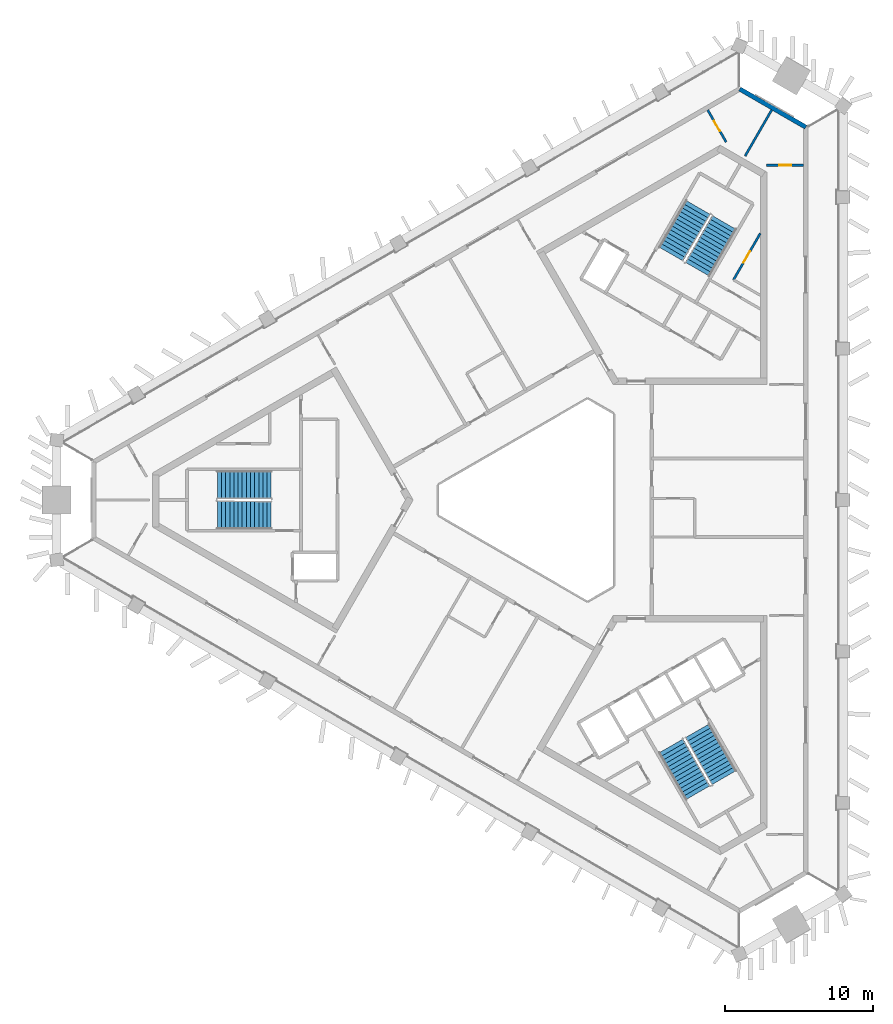
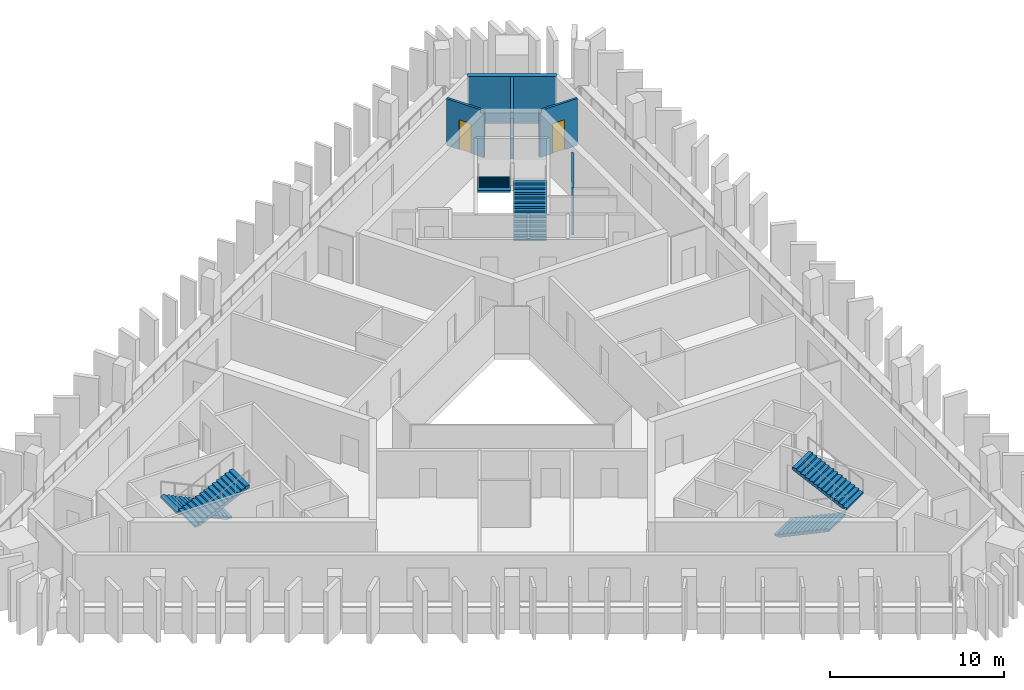
# One storey, part 6 of 9: 6 stair flights, 5 walls, 3 doors, 3 openings, 3 elements without a shape of their own.
"""IFC4 building model written with IfcOpenShell, lengths in metres."""

from ifc_helpers import new_model, si_unit, direction, frame, frame_2d, origin, place, context, subcontext, project, spatial, polyline, rectangle, outline, extrude, material, layer, layer_set, type_object, element, fill, aggregate, save


model = new_model("IFC4")

# Units and contexts
model_context = context("Model", 3, precision=1e-05, world=origin(), true_north=direction((0.0, 1.0)))
body_context = subcontext(model_context, "Body", "Model", "MODEL_VIEW")
ifc_project = project(units=[si_unit("LENGTHUNIT", "METRE"), si_unit("AREAUNIT", "SQUARE_METRE"), si_unit("VOLUMEUNIT", "CUBIC_METRE"), si_unit("PLANEANGLEUNIT", "RADIAN"), si_unit("MASSUNIT", "GRAM", prefix="KILO")], contexts=[model_context])

# Site, building, storey
site_placement = place(None, origin())
site = spatial("IfcSite", under=ifc_project, at=site_placement, CompositionType="ELEMENT")
building_placement = place(site_placement, origin())
building = spatial("IfcBuilding", under=site, at=building_placement, Name="Jabali Bay Hotel Tower and Convention Centre", CompositionType="ELEMENT")
storey_placement = place(building_placement, frame((0.0, 0.0, 228.0)))
storey = spatial("IfcBuildingStorey", under=building, at=storey_placement, Name="L56", CompositionType="ELEMENT", Elevation=228.0)

# Wall, opening, door
ifc_material_1 = material(Name="Fire-rated board partition")
ifc_layer_1 = layer(ifc_material_1, 0.14990234375)
ifc_layer_set_1 = layer_set([ifc_layer_1], Name="Fire-rated board partition")
wall_type_1 = type_object("IfcWallType", Name="Core room partition 150", PredefinedType="PARTITIONING", material=ifc_layer_set_1)
wall_1_placement = place(storey_placement, frame((87.62109375, 94.8603515625, 0.0), z_axis=(0.0, 0.0, 1.0), x_axis=(0.499993116331, 0.866029378036, 0.0)))
wall_1 = element("IfcWall", 1, at=wall_1_placement, inside=storey, type_object=wall_type_1, Name="Core wall 1.1 L56", PredefinedType="PARTITIONING", context=body_context, shape_type="SweptSolid", body=[
    extrude(rectangle(XDim=3.61767578125, YDim=0.14990234375, at=frame_2d((1.808837890625, 0.0))), origin(), (0.0, 0.0, 1.0), 3.300048828125),
])
opening_1_placement = place(wall_1_placement, frame((1.33154296875, 0.0, 0.0)))
opening_1 = element("IfcOpeningElement", 2, at=opening_1_placement, cuts=wall_1, Name="Opening D1226", PredefinedType="OPENING", context=body_context, shape_type="SweptSolid", body=[
    extrude(rectangle(XDim=0.89990234375, YDim=2.10009765625, at=frame_2d((0.449951171875, 1.050048828125))), frame((0.0, 0.08544921875, 0.0), z_axis=(0.0, -1.0, 0.0), x_axis=(1.0, 0.0, 0.0)), (0.0, 0.0, 1.0), 0.1708984375),
])
ifc_material_2 = material(Name="Fire-rated steel door", Category="steel")
door_type_1 = type_object("IfcDoorType", Name="Core room door 900 x 2100", OperationType="NOTDEFINED", PredefinedType="NOTDEFINED", material=ifc_material_2)
door_1_placement = place(opening_1_placement, origin())
door_1 = element("IfcDoor", 3, at=door_1_placement, inside=storey, type_object=door_type_1, Name="Core room door D1226", OperationType="SINGLE_SWING_LEFT", OverallHeight=2.10009765625, OverallWidth=0.89990234375, PredefinedType="NOTDEFINED", context=body_context, shape_type="SweptSolid", body=[
    extrude(rectangle(XDim=0.89990234375, YDim=2.10009765625, at=frame_2d((0.449951171875, 1.050048828125))), frame((0.0, 0.02490234375, 0.0), z_axis=(0.0, -1.0, 0.0), x_axis=(1.0, 0.0, 0.0)), (0.0, 0.0, 1.0), 0.050048828125),
])
fill(opening_1, door_1)

# Wall
ifc_material_3 = material(Name="Concrete C40", Category="concrete")
ifc_layer_2 = layer(ifc_material_3, 0.300048828125)
ifc_layer_set_2 = layer_set([ifc_layer_2], Name="Concrete C40")
wall_type_2 = type_object("IfcWallType", Name="External wall 300", PredefinedType="SOLIDWALL", material=ifc_layer_set_2)
wall_2_placement = place(storey_placement, frame((88.04345703125, 107.740966796875, 0.0), z_axis=(0.0, 0.0, 1.0), x_axis=(0.866011086668, -0.500024797153, 0.0)))
element("IfcWall", 4, at=wall_2_placement, inside=storey, type_object=wall_type_2, Name="External wall north-east chamfer L56", PredefinedType="SOLIDWALL", context=body_context, shape_type="SweptSolid", body=[
    extrude(rectangle(XDim=5.149169921875, YDim=0.300048828125, at=frame_2d((2.57470703125, 0.0))), origin(), (0.0, 0.0, 1.0), 3.300048828125),
])

# Wall, opening, door
ifc_material_4 = material(Name="Plasterboard on steel stud", Category="steel")
ifc_layer_3 = layer(ifc_material_4, 0.14990234375)
ifc_layer_set_3 = layer_set([ifc_layer_3], Name="Plasterboard on steel stud")
wall_type_3 = type_object("IfcWallType", Name="Partition 150 wet", PredefinedType="PARTITIONING", material=ifc_layer_set_3)
wall_3_placement = place(storey_placement, frame((92.353515625, 102.59423828125, 0.0), z_axis=(0.0, 0.0, 1.0), x_axis=(-1.0, 0.0, 0.0)))
wall_3 = element("IfcWall", 5, at=wall_3_placement, inside=storey, type_object=wall_type_3, Name="Partition P03 L56 010", PredefinedType="PARTITIONING", context=body_context, shape_type="SweptSolid", body=[
    extrude(rectangle(XDim=2.492431640625, YDim=0.14990234375, at=frame_2d((1.24609375, 0.0))), origin(), (0.0, 0.0, 1.0), 3.300048828125),
])
opening_2_placement = place(wall_3_placement, frame((0.845947265625, 0.0, 0.0)))
opening_2 = element("IfcOpeningElement", 6, at=opening_2_placement, cuts=wall_3, Name="Opening 5608", PredefinedType="OPENING", context=body_context, shape_type="SweptSolid", body=[
    extrude(rectangle(XDim=0.800048828125, YDim=2.10009765625, at=frame_2d((0.39990234375, 1.050048828125))), frame((0.0, 0.08544921875, 0.0), z_axis=(0.0, -1.0, 0.0), x_axis=(1.0, 0.0, 0.0)), (0.0, 0.0, 1.0), 0.1708984375),
])
ifc_material_5 = material(Name="Timber", Category="wood")
door_type_2 = type_object("IfcDoorType", Name="En-suite door 800 x 2100", OperationType="NOTDEFINED", PredefinedType="NOTDEFINED", material=ifc_material_5)
door_2_placement = place(opening_2_placement, origin())
door_2 = element("IfcDoor", 7, at=door_2_placement, inside=storey, type_object=door_type_2, Name="Door 5608", OperationType="SINGLE_SWING_RIGHT", OverallHeight=2.10009765625, OverallWidth=0.800048828125, PredefinedType="NOTDEFINED", context=body_context, shape_type="SweptSolid", body=[
    extrude(rectangle(XDim=0.800048828125, YDim=2.10009765625, at=frame_2d((0.39990234375, 1.050048828125))), frame((0.0, 0.02490234375, 0.0), z_axis=(0.0, -1.0, 0.0), x_axis=(1.0, 0.0, 0.0)), (0.0, 0.0, 1.0), 0.050048828125),
])
fill(opening_2, door_2)

# Wall
wall_4_placement = place(storey_placement, frame((90.199462890625, 106.323974609375, 0.0), z_axis=(0.0, 0.0, 1.0), x_axis=(-0.500032055595, -0.866006895687, 0.0)))
element("IfcWall", 8, at=wall_4_placement, inside=storey, type_object=wall_type_3, Name="Partition P03 L56 011", PredefinedType="PARTITIONING", context=body_context, shape_type="SweptSolid", body=[
    extrude(rectangle(XDim=3.594970703125, YDim=0.14990234375, at=frame_2d((1.79736328125, 0.0))), origin(), (0.0, 0.0, 1.0), 3.300048828125),
])

# Wall, opening, door
wall_5_placement = place(storey_placement, frame((87.12744140625, 104.161865234375, 0.0), z_axis=(0.0, 0.0, 1.0), x_axis=(-0.500047477074, 0.865997991148, 0.0)))
wall_5 = element("IfcWall", 9, at=wall_5_placement, inside=storey, type_object=wall_type_3, Name="Partition P03 L56 014", PredefinedType="PARTITIONING", context=body_context, shape_type="SweptSolid", body=[
    extrude(rectangle(XDim=2.492431640625, YDim=0.14990234375, at=frame_2d((1.24609375, 0.0))), origin(), (0.0, 0.0, 1.0), 3.300048828125),
])
opening_3_placement = place(wall_5_placement, frame((0.845947265625, 0.0, 0.0)))
opening_3 = element("IfcOpeningElement", 10, at=opening_3_placement, cuts=wall_5, Name="Opening 5611", PredefinedType="OPENING", context=body_context, shape_type="SweptSolid", body=[
    extrude(rectangle(XDim=0.800048828125, YDim=2.10009765625, at=frame_2d((0.39990234375, 1.050048828125))), frame((0.0, 0.08544921875, 0.0), z_axis=(0.0, -1.0, 0.0), x_axis=(1.0, 0.0, 0.0)), (0.0, 0.0, 1.0), 0.1708984375),
])
door_3_placement = place(opening_3_placement, origin())
door_3 = element("IfcDoor", 11, at=door_3_placement, inside=storey, type_object=door_type_2, Name="Door 5611", OperationType="SINGLE_SWING_RIGHT", OverallHeight=2.10009765625, OverallWidth=0.800048828125, PredefinedType="NOTDEFINED", context=body_context, shape_type="SweptSolid", body=[
    extrude(rectangle(XDim=0.800048828125, YDim=2.10009765625, at=frame_2d((0.39990234375, 1.050048828125))), frame((0.0, 0.02490234375, 0.0), z_axis=(0.0, -1.0, 0.0), x_axis=(1.0, 0.0, 0.0)), (0.0, 0.0, 1.0), 0.050048828125),
])
fill(opening_3, door_3)

# Stair, stair flights
stair_type = type_object("IfcStairType", Name="Exit stair 1900", PredefinedType="HALF_TURN_STAIR", material=ifc_material_3)
stair_1_placement = place(storey_placement, origin())
stair_1 = element("IfcStair", 12, at=stair_1_placement, inside=storey, type_object=stair_type, Name="L56 Exit Stair 1", PredefinedType="HALF_TURN_STAIR")
stair_flight_type = type_object("IfcStairFlightType", Name="Stair flight concrete 150", PredefinedType="STRAIGHT", material=ifc_material_3)
stair_flight_1_placement = place(storey_placement, frame((56.419921875, 81.02490234375, 0.0), z_axis=(0.0, 0.0, 1.0), x_axis=(-1.0, 0.0, 0.0)))
stair_flight_1 = element("IfcStairFlight", 13, at=stair_flight_1_placement, type_object=stair_flight_type, Name="ST1 flight 1", NumberOfRisers=14, NumberOfTreads=13, PredefinedType="STRAIGHT", RiserHeight=0.132142857, TreadLength=0.28, context=body_context, shape_type="SweptSolid", body=[
    extrude(outline(polyline([(0.0, 0.0), (0.0, 0.132080078125), (0.280029296875, 0.132080078125), (0.280029296875, 0.264404296875), (0.56005859375, 0.264404296875), (0.56005859375, 0.396484375), (0.840087890625, 0.396484375), (0.840087890625, 0.528564453125), (1.1201171875, 0.528564453125), (1.1201171875, 0.66064453125), (1.39990234375, 0.66064453125), (1.39990234375, 0.79296875), (1.679931640625, 0.79296875), (1.679931640625, 0.925048828125), (1.9599609375, 0.925048828125), (1.9599609375, 1.05712890625), (2.239990234375, 1.05712890625), (2.239990234375, 1.189208984375), (2.52001953125, 1.189208984375), (2.52001953125, 1.321533203125), (2.800048828125, 1.321533203125), (2.800048828125, 1.45361328125), (3.080078125, 1.45361328125), (3.080078125, 1.585693359375), (3.360107421875, 1.585693359375), (3.360107421875, 1.7177734375), (3.639892578125, 1.7177734375), (3.639892578125, 1.85009765625), (3.639892578125, 1.552001953125), (0.351318359375, 0.0), (0.0, 0.0)])), frame((0.0, 0.949951171875, 0.0), z_axis=(0.0, -1.0, 0.0), x_axis=(1.0, 0.0, 0.0)), (0.0, 0.0, 1.0), 1.89990234375),
])
stair_flight_2_placement = place(storey_placement, frame((52.780029296875, 78.97509765625, 1.85009765625), z_axis=(0.0, 0.0, 1.0), x_axis=(1.0, 0.0, 0.0)))
stair_flight_2 = element("IfcStairFlight", 14, at=stair_flight_2_placement, type_object=stair_flight_type, Name="ST1 flight 2", NumberOfRisers=14, NumberOfTreads=13, PredefinedType="STRAIGHT", RiserHeight=0.132142857, TreadLength=0.28, context=body_context, shape_type="SweptSolid", body=[
    extrude(outline(polyline([(0.0, 0.0), (0.0, 0.132080078125), (0.280029296875, 0.132080078125), (0.280029296875, 0.264404296875), (0.56005859375, 0.264404296875), (0.56005859375, 0.396484375), (0.840087890625, 0.396484375), (0.840087890625, 0.528564453125), (1.1201171875, 0.528564453125), (1.1201171875, 0.66064453125), (1.39990234375, 0.66064453125), (1.39990234375, 0.79296875), (1.679931640625, 0.79296875), (1.679931640625, 0.925048828125), (1.9599609375, 0.925048828125), (1.9599609375, 1.05712890625), (2.239990234375, 1.05712890625), (2.239990234375, 1.189208984375), (2.52001953125, 1.189208984375), (2.52001953125, 1.321533203125), (2.800048828125, 1.321533203125), (2.800048828125, 1.45361328125), (3.080078125, 1.45361328125), (3.080078125, 1.585693359375), (3.360107421875, 1.585693359375), (3.360107421875, 1.7177734375), (3.639892578125, 1.7177734375), (3.639892578125, 1.85009765625), (3.639892578125, 1.552001953125), (0.351318359375, 0.0), (0.0, 0.0)])), frame((0.0, 0.949951171875, 0.0), z_axis=(0.0, -1.0, 0.0), x_axis=(1.0, 0.0, 0.0)), (0.0, 0.0, 1.0), 1.89990234375),
])
aggregate(stair_1, [stair_flight_1, stair_flight_2])

stair_2_placement = place(storey_placement, origin())
stair_2 = element("IfcStair", 15, at=stair_2_placement, inside=storey, type_object=stair_type, Name="L56 Exit Stair 2", PredefinedType="HALF_TURN_STAIR")
stair_flight_3_placement = place(storey_placement, frame((85.177734375, 95.578369140625, 0.0), z_axis=(0.0, 0.0, 1.0), x_axis=(0.5, 0.866025403784, 0.0)))
stair_flight_3 = element("IfcStairFlight", 16, at=stair_flight_3_placement, type_object=stair_flight_type, Name="ST2 flight 1", NumberOfRisers=14, NumberOfTreads=13, PredefinedType="STRAIGHT", RiserHeight=0.132142857, TreadLength=0.28, context=body_context, shape_type="SweptSolid", body=[
    extrude(outline(polyline([(0.0, 0.0), (0.0, 0.132080078125), (0.280029296875, 0.132080078125), (0.280029296875, 0.264404296875), (0.56005859375, 0.264404296875), (0.56005859375, 0.396484375), (0.840087890625, 0.396484375), (0.840087890625, 0.528564453125), (1.1201171875, 0.528564453125), (1.1201171875, 0.66064453125), (1.39990234375, 0.66064453125), (1.39990234375, 0.79296875), (1.679931640625, 0.79296875), (1.679931640625, 0.925048828125), (1.9599609375, 0.925048828125), (1.9599609375, 1.05712890625), (2.239990234375, 1.05712890625), (2.239990234375, 1.189208984375), (2.52001953125, 1.189208984375), (2.52001953125, 1.321533203125), (2.800048828125, 1.321533203125), (2.800048828125, 1.45361328125), (3.080078125, 1.45361328125), (3.080078125, 1.585693359375), (3.360107421875, 1.585693359375), (3.360107421875, 1.7177734375), (3.639892578125, 1.7177734375), (3.639892578125, 1.85009765625), (3.639892578125, 1.552001953125), (0.351318359375, 0.0), (0.0, 0.0)])), frame((0.0, 0.949951171875, 0.0), z_axis=(0.0, -1.0, 0.0), x_axis=(1.0, 0.0, 0.0)), (0.0, 0.0, 1.0), 1.89990234375),
])
stair_flight_4_placement = place(storey_placement, frame((85.222412109375, 99.755615234375, 1.85009765625), z_axis=(0.0, 0.0, 1.0), x_axis=(-0.5, -0.866025403784, 0.0)))
stair_flight_4 = element("IfcStairFlight", 17, at=stair_flight_4_placement, type_object=stair_flight_type, Name="ST2 flight 2", NumberOfRisers=14, NumberOfTreads=13, PredefinedType="STRAIGHT", RiserHeight=0.132142857, TreadLength=0.28, context=body_context, shape_type="SweptSolid", body=[
    extrude(outline(polyline([(0.0, 0.0), (0.0, 0.132080078125), (0.280029296875, 0.132080078125), (0.280029296875, 0.264404296875), (0.56005859375, 0.264404296875), (0.56005859375, 0.396484375), (0.840087890625, 0.396484375), (0.840087890625, 0.528564453125), (1.1201171875, 0.528564453125), (1.1201171875, 0.66064453125), (1.39990234375, 0.66064453125), (1.39990234375, 0.79296875), (1.679931640625, 0.79296875), (1.679931640625, 0.925048828125), (1.9599609375, 0.925048828125), (1.9599609375, 1.05712890625), (2.239990234375, 1.05712890625), (2.239990234375, 1.189208984375), (2.52001953125, 1.189208984375), (2.52001953125, 1.321533203125), (2.800048828125, 1.321533203125), (2.800048828125, 1.45361328125), (3.080078125, 1.45361328125), (3.080078125, 1.585693359375), (3.360107421875, 1.585693359375), (3.360107421875, 1.7177734375), (3.639892578125, 1.7177734375), (3.639892578125, 1.85009765625), (3.639892578125, 1.552001953125), (0.351318359375, 0.0), (0.0, 0.0)])), frame((0.0, 0.949951171875, 0.0), z_axis=(0.0, -1.0, 0.0), x_axis=(1.0, 0.0, 0.0)), (0.0, 0.0, 1.0), 1.89990234375),
])
aggregate(stair_2, [stair_flight_3, stair_flight_4])

stair_3_placement = place(storey_placement, origin())
stair_3 = element("IfcStair", 18, at=stair_3_placement, inside=storey, type_object=stair_type, Name="L56 Exit Stair 3", PredefinedType="HALF_TURN_STAIR")
stair_flight_5_placement = place(storey_placement, frame((83.40234375, 63.396728515625, 0.0), z_axis=(0.0, 0.0, 1.0), x_axis=(0.5, -0.866025403784, 0.0)))
stair_flight_5 = element("IfcStairFlight", 19, at=stair_flight_5_placement, type_object=stair_flight_type, Name="ST3 flight 1", NumberOfRisers=14, NumberOfTreads=13, PredefinedType="STRAIGHT", RiserHeight=0.132142857, TreadLength=0.28, context=body_context, shape_type="SweptSolid", body=[
    extrude(outline(polyline([(0.0, 0.0), (0.0, 0.132080078125), (0.280029296875, 0.132080078125), (0.280029296875, 0.264404296875), (0.56005859375, 0.264404296875), (0.56005859375, 0.396484375), (0.840087890625, 0.396484375), (0.840087890625, 0.528564453125), (1.1201171875, 0.528564453125), (1.1201171875, 0.66064453125), (1.39990234375, 0.66064453125), (1.39990234375, 0.79296875), (1.679931640625, 0.79296875), (1.679931640625, 0.925048828125), (1.9599609375, 0.925048828125), (1.9599609375, 1.05712890625), (2.239990234375, 1.05712890625), (2.239990234375, 1.189208984375), (2.52001953125, 1.189208984375), (2.52001953125, 1.321533203125), (2.800048828125, 1.321533203125), (2.800048828125, 1.45361328125), (3.080078125, 1.45361328125), (3.080078125, 1.585693359375), (3.360107421875, 1.585693359375), (3.360107421875, 1.7177734375), (3.639892578125, 1.7177734375), (3.639892578125, 1.85009765625), (3.639892578125, 1.552001953125), (0.351318359375, 0.0), (0.0, 0.0)])), frame((0.0, 0.949951171875, 0.0), z_axis=(0.0, -1.0, 0.0), x_axis=(1.0, 0.0, 0.0)), (0.0, 0.0, 1.0), 1.89990234375),
])
stair_flight_6_placement = place(storey_placement, frame((86.99755859375, 61.26953125, 1.85009765625), z_axis=(0.0, 0.0, 1.0), x_axis=(-0.5, 0.866025403784, 0.0)))
stair_flight_6 = element("IfcStairFlight", 20, at=stair_flight_6_placement, type_object=stair_flight_type, Name="ST3 flight 2", NumberOfRisers=14, NumberOfTreads=13, PredefinedType="STRAIGHT", RiserHeight=0.132142857, TreadLength=0.28, context=body_context, shape_type="SweptSolid", body=[
    extrude(outline(polyline([(0.0, 0.0), (0.0, 0.132080078125), (0.280029296875, 0.132080078125), (0.280029296875, 0.264404296875), (0.56005859375, 0.264404296875), (0.56005859375, 0.396484375), (0.840087890625, 0.396484375), (0.840087890625, 0.528564453125), (1.1201171875, 0.528564453125), (1.1201171875, 0.66064453125), (1.39990234375, 0.66064453125), (1.39990234375, 0.79296875), (1.679931640625, 0.79296875), (1.679931640625, 0.925048828125), (1.9599609375, 0.925048828125), (1.9599609375, 1.05712890625), (2.239990234375, 1.05712890625), (2.239990234375, 1.189208984375), (2.52001953125, 1.189208984375), (2.52001953125, 1.321533203125), (2.800048828125, 1.321533203125), (2.800048828125, 1.45361328125), (3.080078125, 1.45361328125), (3.080078125, 1.585693359375), (3.360107421875, 1.585693359375), (3.360107421875, 1.7177734375), (3.639892578125, 1.7177734375), (3.639892578125, 1.85009765625), (3.639892578125, 1.552001953125), (0.351318359375, 0.0), (0.0, 0.0)])), frame((0.0, 0.949951171875, 0.0), z_axis=(0.0, -1.0, 0.0), x_axis=(1.0, 0.0, 0.0)), (0.0, 0.0, 1.0), 1.89990234375),
])
aggregate(stair_3, [stair_flight_5, stair_flight_6])

save(model, "model.ifc")
